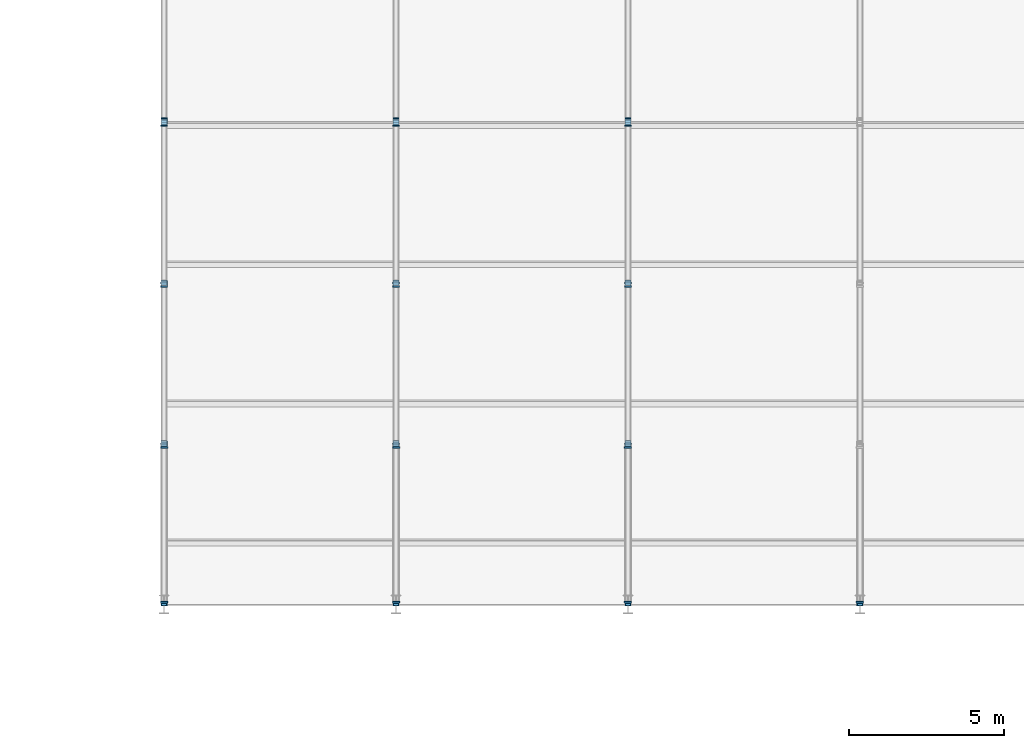
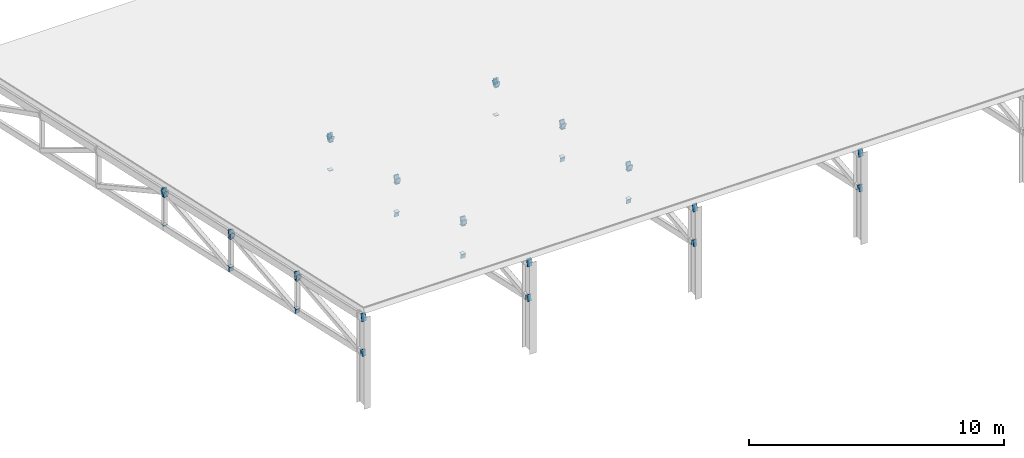
# One storey, part 56 of 77: 66 plates.
"""IFC4 building model written with IfcOpenShell, lengths in metres."""

from ifc_helpers import new_model, si_unit, direction, frame, origin, origin_2d, place, context, subcontext, project, spatial, rectangle, extrude, material, layer, layer_set, type_object, element, save


model = new_model("IFC4")

# Units and contexts
model_context = context("Model", 3, precision=1e-05, world=origin(), true_north=direction((0.0, 1.0)))
body_context = subcontext(model_context, "Body", "Model", "MODEL_VIEW")
ifc_project = project(units=[si_unit("LENGTHUNIT", "METRE"), si_unit("AREAUNIT", "SQUARE_METRE"), si_unit("VOLUMEUNIT", "CUBIC_METRE"), si_unit("PLANEANGLEUNIT", "RADIAN"), si_unit("MASSUNIT", "GRAM", prefix="KILO")], contexts=[model_context])

# Site, building, storey
site_placement = place(None, origin())
site = spatial("IfcSite", under=ifc_project, at=site_placement, CompositionType="ELEMENT")
building_placement = place(site_placement, origin())
building = spatial("IfcBuilding", under=site, at=building_placement, Name="Yukiwa Park Conservatory and Herbarium", CompositionType="ELEMENT")
storey_placement = place(building_placement, frame((0.0, 0.0, 13.199951171875)))
storey = spatial("IfcBuildingStorey", under=building, at=storey_placement, Name="L03", CompositionType="ELEMENT", Elevation=13.199951171875)

# Plates
ifc_material_1 = material(Name="Steel Q355D", Category="steel")
ifc_layer_1 = layer(ifc_material_1, 0.02392578125)
ifc_layer_set_1 = layer_set([ifc_layer_1], Name="Steel Q355D")
plate_type_1 = type_object("IfcPlateType", Name="PL-CAP-24", PredefinedType="USERDEFINED", material=ifc_layer_set_1)
for number, where, z_axis, x_axis, name in (
    (1, (15.0, 78.013916015625, 4.190185546875), (0.0, -0.976900017396, 0.213696878805), (1.0, 0.0, 0.0), "Hollow section end cap plate CAP-AUTC-1-1A"),
    (2, (15.0, 83.160888671875, 3.0478515625), (0.0, 0.976900017396, -0.213696878805), (-1.0, 0.0, 0.0), "Hollow section end cap plate CAP-AUTC-1-1B"),
):
    element("IfcPlate", number, at=place(storey_placement, frame(where, z_axis=z_axis, x_axis=x_axis)), inside=storey, type_object=plate_type_1, Name=name, ObjectType="END CAP PLATE", PredefinedType="USERDEFINED", context=body_context, shape_type="SweptSolid", body=[
        extrude(rectangle(XDim=0.2080078125, YDim=0.35791015625, at=origin_2d()), origin(), (0.0, 0.0, 1.0), 0.02392578125),
    ])
plate_1_placement = place(storey_placement, frame((15.0, 78.013916015625, 2.490234375), z_axis=(0.0, -0.976900017396, 0.213696878805), x_axis=(1.0, 0.0, 0.0)))
element("IfcPlate", 3, at=plate_1_placement, inside=storey, type_object=plate_type_1, Name="Hollow section end cap plate CAP-AUBC-1-1A", ObjectType="END CAP PLATE", PredefinedType="USERDEFINED", context=body_context, shape_type="SweptSolid", body=[
    extrude(rectangle(XDim=0.157958984375, YDim=0.30810546875, at=origin_2d()), origin(), (0.0, 0.0, 1.0), 0.02392578125),
])
for number, where, z_axis, x_axis, name in (
    (4, (15.0, 78.091552734375, 2.500244140625), (0.0, -0.994834142531, -0.101513688013), (1.0, 0.0, 0.0), "Hollow section end cap plate CAP-AUDG-1-1A"),
    (5, (15.0, 83.067626953125, 3.025146484375), (0.0, 0.993759448064, 0.111544427844), (-1.0, 0.0, 0.0), "Hollow section end cap plate CAP-AUDG-1-1B"),
):
    element("IfcPlate", number, at=place(storey_placement, frame(where, z_axis=z_axis, x_axis=x_axis)), inside=storey, type_object=plate_type_1, Name=name, ObjectType="END CAP PLATE", PredefinedType="USERDEFINED", context=body_context, shape_type="SweptSolid", body=[
        extrude(rectangle(XDim=0.22802734375, YDim=0.22802734375, at=origin_2d()), origin(), (0.0, 0.0, 1.0), 0.024169921875),
    ])
for number, where, z_axis, x_axis, name in (
    (6, (15.0, 83.239013671875, 3.030517578125), (0.0, -0.976900017396, 0.213696878805), (1.0, 0.0, 0.0), "Hollow section end cap plate CAP-AUTC-1-2A"),
    (7, (15.0, 88.36083984375, 1.89501953125), (0.0, 0.974732318528, -0.223376156329), (-1.0, 0.0, 0.0), "Hollow section end cap plate CAP-AUTC-1-2B"),
):
    element("IfcPlate", number, at=place(storey_placement, frame(where, z_axis=z_axis, x_axis=x_axis)), inside=storey, type_object=plate_type_1, Name=name, ObjectType="END CAP PLATE", PredefinedType="USERDEFINED", context=body_context, shape_type="SweptSolid", body=[
        extrude(rectangle(XDim=0.2080078125, YDim=0.35791015625, at=origin_2d()), origin(), (0.0, 0.0, 1.0), 0.02392578125),
    ])
plate_2_placement = place(storey_placement, frame((15.0, 83.2080078125, 1.340087890625), z_axis=(0.0, -0.993759448064, -0.111544427844), x_axis=(1.0, 0.0, 0.0)))
element("IfcPlate", 8, at=plate_2_placement, inside=storey, type_object=plate_type_1, Name="Hollow section end cap plate CAP-AUDG-1-2A", ObjectType="END CAP PLATE", PredefinedType="USERDEFINED", context=body_context, shape_type="SweptSolid", body=[
    extrude(rectangle(XDim=0.2080078125, YDim=0.2080078125, at=origin_2d()), origin(), (0.0, 0.0, 1.0), 0.024169921875),
])
plate_3_placement = place(storey_placement, frame((15.0, 88.267822265625, 1.872314453125), z_axis=(0.0, 0.994727926154, 0.102549270738), x_axis=(-1.0, 0.0, 0.0)))
element("IfcPlate", 9, at=plate_3_placement, inside=storey, type_object=plate_type_1, Name="Hollow section end cap plate CAP-AUDG-1-2B", ObjectType="END CAP PLATE", PredefinedType="USERDEFINED", context=body_context, shape_type="SweptSolid", body=[
    extrude(rectangle(XDim=0.2080078125, YDim=0.2080078125, at=origin_2d()), origin(), (0.0, 0.0, 1.0), 0.02392578125),
])
for number, where, z_axis, x_axis, name in (
    (10, (15.0, 88.43896484375, 1.877685546875), (0.0, -0.976900017396, 0.213696878805), (1.0, 0.0, 0.0), "Hollow section end cap plate CAP-AUTC-1-3A"),
    (11, (15.0, 93.56103515625, 0.7421875), (0.0, 0.974732318528, -0.223376156329), (-1.0, 0.0, 0.0), "Hollow section end cap plate CAP-AUTC-1-3B"),
):
    element("IfcPlate", number, at=place(storey_placement, frame(where, z_axis=z_axis, x_axis=x_axis)), inside=storey, type_object=plate_type_1, Name=name, ObjectType="END CAP PLATE", PredefinedType="USERDEFINED", context=body_context, shape_type="SweptSolid", body=[
        extrude(rectangle(XDim=0.2080078125, YDim=0.35791015625, at=origin_2d()), origin(), (0.0, 0.0, 1.0), 0.02392578125),
    ])
for number, where, z_axis, x_axis, name in (
    (12, (15.0, 88.407958984375, 0.18701171875), (0.0, -0.994834142531, -0.101513688013), (1.0, 0.0, 0.0), "Hollow section end cap plate CAP-AUDG-1-3A"),
    (13, (15.0, 93.4677734375, 0.719482421875), (0.0, 0.994834142531, 0.101513688013), (-1.0, 0.0, 0.0), "Hollow section end cap plate CAP-AUDG-1-3B"),
):
    element("IfcPlate", number, at=place(storey_placement, frame(where, z_axis=z_axis, x_axis=x_axis)), inside=storey, type_object=plate_type_1, Name=name, ObjectType="END CAP PLATE", PredefinedType="USERDEFINED", context=body_context, shape_type="SweptSolid", body=[
        extrude(rectangle(XDim=0.2080078125, YDim=0.2080078125, at=origin_2d()), origin(), (0.0, 0.0, 1.0), 0.024169921875),
    ])
plate_4_placement = place(storey_placement, frame((15.0, 93.63916015625, 0.724853515625), z_axis=(0.0, -0.976900017396, 0.213696878805), x_axis=(1.0, 0.0, 0.0)))
element("IfcPlate", 14, at=plate_4_placement, inside=storey, type_object=plate_type_1, Name="Hollow section end cap plate CAP-AUTC-1-4A", ObjectType="END CAP PLATE", PredefinedType="USERDEFINED", context=body_context, shape_type="SweptSolid", body=[
    extrude(rectangle(XDim=0.2080078125, YDim=0.35791015625, at=origin_2d()), origin(), (0.0, 0.0, 1.0), 0.02392578125),
])
plate_5_placement = place(storey_placement, frame((15.0, 93.690185546875, 0.683837890625), z_axis=(0.0, -0.873197702015, 0.487366159264), x_axis=(1.0, 0.0, 0.0)))
element("IfcPlate", 15, at=plate_5_placement, inside=storey, type_object=plate_type_1, Name="Hollow section end cap plate CAP-AUDG-1-4A", ObjectType="END CAP PLATE", PredefinedType="USERDEFINED", context=body_context, shape_type="SweptSolid", body=[
    extrude(rectangle(XDim=0.2080078125, YDim=0.2080078125, at=origin_2d()), origin(), (0.0, 0.0, 1.0), 0.02392578125),
])
ifc_material_2 = material(Name="Steel Q355D", Category="steel")
ifc_layer_2 = layer(ifc_material_2, 0.02392578125)
ifc_layer_set_2 = layer_set([ifc_layer_2], Name="Steel Q355D")
plate_type_2 = type_object("IfcPlateType", Name="PL-CAP-24-INT", PredefinedType="USERDEFINED", material=ifc_layer_set_2)
for number, where, z_axis, x_axis, name in (
    (16, (15.0, 83.199951171875, 1.4921875), (0.0, 0.0, -1.0), (1.0, 0.0, 0.0), "Hollow section end cap plate CAP-AUVP-1-1B"),
    (17, (15.0, 83.199951171875, 2.8251953125), (0.0, 0.0, 1.0), (1.0, 0.0, 0.0), "Hollow section end cap plate CAP-AUVP-1-1T"),
):
    element("IfcPlate", number, at=place(storey_placement, frame(where, z_axis=z_axis, x_axis=x_axis)), inside=storey, type_object=plate_type_2, Name=name, ObjectType="END CAP PLATE", PredefinedType="USERDEFINED", context=body_context, shape_type="SweptSolid", body=[
        extrude(rectangle(XDim=0.18798828125, YDim=0.18798828125, at=origin_2d()), origin(), (0.0, 0.0, 1.0), 0.02392578125),
    ])
plate_6_placement = place(storey_placement, frame((15.0, 88.39990234375, 0.33935546875), z_axis=(0.0, 0.0, -1.0), x_axis=(1.0, 0.0, 0.0)))
element("IfcPlate", 18, at=plate_6_placement, inside=storey, type_object=plate_type_2, Name="Hollow section end cap plate CAP-AUVP-1-2B", ObjectType="END CAP PLATE", PredefinedType="USERDEFINED", context=body_context, shape_type="SweptSolid", body=[
    extrude(rectangle(XDim=0.18798828125, YDim=0.18798828125, at=origin_2d()), origin(), (0.0, 0.0, 1.0), 0.024169921875),
])
plate_7_placement = place(storey_placement, frame((15.0, 88.39990234375, 1.67236328125), z_axis=(0.0, 0.0, 1.0), x_axis=(1.0, 0.0, 0.0)))
element("IfcPlate", 19, at=plate_7_placement, inside=storey, type_object=plate_type_2, Name="Hollow section end cap plate CAP-AUVP-1-2T", ObjectType="END CAP PLATE", PredefinedType="USERDEFINED", context=body_context, shape_type="SweptSolid", body=[
    extrude(rectangle(XDim=0.18798828125, YDim=0.18798828125, at=origin_2d()), origin(), (0.0, 0.0, 1.0), 0.02392578125),
])
plate_8_placement = place(storey_placement, frame((15.0, 93.60009765625, -0.8134765625), z_axis=(0.0, 0.0, -1.0), x_axis=(1.0, 0.0, 0.0)))
element("IfcPlate", 20, at=plate_8_placement, inside=storey, type_object=plate_type_2, Name="Hollow section end cap plate CAP-AUVP-1-3B", ObjectType="END CAP PLATE", PredefinedType="USERDEFINED", context=body_context, shape_type="SweptSolid", body=[
    extrude(rectangle(XDim=0.18798828125, YDim=0.18798828125, at=origin_2d()), origin(), (0.0, 0.0, 1.0), 0.024169921875),
])
plate_9_placement = place(storey_placement, frame((15.0, 93.60009765625, 0.51953125), z_axis=(0.0, 0.0, 1.0), x_axis=(1.0, 0.0, 0.0)))
element("IfcPlate", 21, at=plate_9_placement, inside=storey, type_object=plate_type_2, Name="Hollow section end cap plate CAP-AUVP-1-3T", ObjectType="END CAP PLATE", PredefinedType="USERDEFINED", context=body_context, shape_type="SweptSolid", body=[
    extrude(rectangle(XDim=0.18798828125, YDim=0.18798828125, at=origin_2d()), origin(), (0.0, 0.0, 1.0), 0.02392578125),
])
for number, where, z_axis, x_axis, name in (
    (22, (22.5, 78.013916015625, 4.190185546875), (0.0, -0.976900017396, 0.213696878805), (1.0, 0.0, 0.0), "Hollow section end cap plate CAP-AUTC-2-1A"),
    (23, (22.5, 83.160888671875, 3.0478515625), (0.0, 0.976900017396, -0.213696878805), (-1.0, 0.0, 0.0), "Hollow section end cap plate CAP-AUTC-2-1B"),
):
    element("IfcPlate", number, at=place(storey_placement, frame(where, z_axis=z_axis, x_axis=x_axis)), inside=storey, type_object=plate_type_2, Name=name, ObjectType="END CAP PLATE", PredefinedType="USERDEFINED", context=body_context, shape_type="SweptSolid", body=[
        extrude(rectangle(XDim=0.2080078125, YDim=0.35791015625, at=origin_2d()), origin(), (0.0, 0.0, 1.0), 0.02392578125),
    ])
plate_10_placement = place(storey_placement, frame((22.5, 78.013916015625, 2.490234375), z_axis=(0.0, -0.976900017396, 0.213696878805), x_axis=(1.0, 0.0, 0.0)))
element("IfcPlate", 24, at=plate_10_placement, inside=storey, type_object=plate_type_2, Name="Hollow section end cap plate CAP-AUBC-2-1A", ObjectType="END CAP PLATE", PredefinedType="USERDEFINED", context=body_context, shape_type="SweptSolid", body=[
    extrude(rectangle(XDim=0.157958984375, YDim=0.30810546875, at=origin_2d()), origin(), (0.0, 0.0, 1.0), 0.02392578125),
])
for number, where, z_axis, x_axis, name in (
    (25, (22.5, 78.091552734375, 2.500244140625), (0.0, -0.994834142531, -0.101513688013), (1.0, 0.0, 0.0), "Hollow section end cap plate CAP-AUDG-2-1A"),
    (26, (22.5, 83.067626953125, 3.025146484375), (0.0, 0.993759448064, 0.111544427844), (-1.0, 0.0, 0.0), "Hollow section end cap plate CAP-AUDG-2-1B"),
):
    element("IfcPlate", number, at=place(storey_placement, frame(where, z_axis=z_axis, x_axis=x_axis)), inside=storey, type_object=plate_type_2, Name=name, ObjectType="END CAP PLATE", PredefinedType="USERDEFINED", context=body_context, shape_type="SweptSolid", body=[
        extrude(rectangle(XDim=0.22802734375, YDim=0.22802734375, at=origin_2d()), origin(), (0.0, 0.0, 1.0), 0.024169921875),
    ])
for number, where, z_axis, x_axis, name in (
    (27, (22.5, 83.239013671875, 3.030517578125), (0.0, -0.976900017396, 0.213696878805), (1.0, 0.0, 0.0), "Hollow section end cap plate CAP-AUTC-2-2A"),
    (28, (22.5, 88.36083984375, 1.89501953125), (0.0, 0.974732318528, -0.223376156329), (-1.0, 0.0, 0.0), "Hollow section end cap plate CAP-AUTC-2-2B"),
):
    element("IfcPlate", number, at=place(storey_placement, frame(where, z_axis=z_axis, x_axis=x_axis)), inside=storey, type_object=plate_type_2, Name=name, ObjectType="END CAP PLATE", PredefinedType="USERDEFINED", context=body_context, shape_type="SweptSolid", body=[
        extrude(rectangle(XDim=0.2080078125, YDim=0.35791015625, at=origin_2d()), origin(), (0.0, 0.0, 1.0), 0.02392578125),
    ])
plate_11_placement = place(storey_placement, frame((22.5, 83.2080078125, 1.340087890625), z_axis=(0.0, -0.993759448064, -0.111544427844), x_axis=(1.0, 0.0, 0.0)))
element("IfcPlate", 29, at=plate_11_placement, inside=storey, type_object=plate_type_2, Name="Hollow section end cap plate CAP-AUDG-2-2A", ObjectType="END CAP PLATE", PredefinedType="USERDEFINED", context=body_context, shape_type="SweptSolid", body=[
    extrude(rectangle(XDim=0.2080078125, YDim=0.2080078125, at=origin_2d()), origin(), (0.0, 0.0, 1.0), 0.024169921875),
])
plate_12_placement = place(storey_placement, frame((22.5, 88.267822265625, 1.872314453125), z_axis=(0.0, 0.994727926154, 0.102549270738), x_axis=(-1.0, 0.0, 0.0)))
element("IfcPlate", 30, at=plate_12_placement, inside=storey, type_object=plate_type_2, Name="Hollow section end cap plate CAP-AUDG-2-2B", ObjectType="END CAP PLATE", PredefinedType="USERDEFINED", context=body_context, shape_type="SweptSolid", body=[
    extrude(rectangle(XDim=0.2080078125, YDim=0.2080078125, at=origin_2d()), origin(), (0.0, 0.0, 1.0), 0.02392578125),
])
for number, where, z_axis, x_axis, name in (
    (31, (22.5, 88.43896484375, 1.877685546875), (0.0, -0.976900017396, 0.213696878805), (1.0, 0.0, 0.0), "Hollow section end cap plate CAP-AUTC-2-3A"),
    (32, (22.5, 93.56103515625, 0.7421875), (0.0, 0.974732318528, -0.223376156329), (-1.0, 0.0, 0.0), "Hollow section end cap plate CAP-AUTC-2-3B"),
):
    element("IfcPlate", number, at=place(storey_placement, frame(where, z_axis=z_axis, x_axis=x_axis)), inside=storey, type_object=plate_type_2, Name=name, ObjectType="END CAP PLATE", PredefinedType="USERDEFINED", context=body_context, shape_type="SweptSolid", body=[
        extrude(rectangle(XDim=0.2080078125, YDim=0.35791015625, at=origin_2d()), origin(), (0.0, 0.0, 1.0), 0.02392578125),
    ])
for number, where, z_axis, x_axis, name in (
    (33, (22.5, 88.407958984375, 0.18701171875), (0.0, -0.994834142531, -0.101513688013), (1.0, 0.0, 0.0), "Hollow section end cap plate CAP-AUDG-2-3A"),
    (34, (22.5, 93.4677734375, 0.719482421875), (0.0, 0.994834142531, 0.101513688013), (-1.0, 0.0, 0.0), "Hollow section end cap plate CAP-AUDG-2-3B"),
):
    element("IfcPlate", number, at=place(storey_placement, frame(where, z_axis=z_axis, x_axis=x_axis)), inside=storey, type_object=plate_type_2, Name=name, ObjectType="END CAP PLATE", PredefinedType="USERDEFINED", context=body_context, shape_type="SweptSolid", body=[
        extrude(rectangle(XDim=0.2080078125, YDim=0.2080078125, at=origin_2d()), origin(), (0.0, 0.0, 1.0), 0.024169921875),
    ])
plate_13_placement = place(storey_placement, frame((22.5, 93.63916015625, 0.724853515625), z_axis=(0.0, -0.976900017396, 0.213696878805), x_axis=(1.0, 0.0, 0.0)))
element("IfcPlate", 35, at=plate_13_placement, inside=storey, type_object=plate_type_2, Name="Hollow section end cap plate CAP-AUTC-2-4A", ObjectType="END CAP PLATE", PredefinedType="USERDEFINED", context=body_context, shape_type="SweptSolid", body=[
    extrude(rectangle(XDim=0.2080078125, YDim=0.35791015625, at=origin_2d()), origin(), (0.0, 0.0, 1.0), 0.02392578125),
])
plate_14_placement = place(storey_placement, frame((22.5, 93.690185546875, 0.683837890625), z_axis=(0.0, -0.873197702015, 0.487366159264), x_axis=(1.0, 0.0, 0.0)))
element("IfcPlate", 36, at=plate_14_placement, inside=storey, type_object=plate_type_2, Name="Hollow section end cap plate CAP-AUDG-2-4A", ObjectType="END CAP PLATE", PredefinedType="USERDEFINED", context=body_context, shape_type="SweptSolid", body=[
    extrude(rectangle(XDim=0.2080078125, YDim=0.2080078125, at=origin_2d()), origin(), (0.0, 0.0, 1.0), 0.02392578125),
])
for number, where, z_axis, x_axis, name in (
    (37, (22.5, 83.199951171875, 1.4921875), (0.0, 0.0, -1.0), (1.0, 0.0, 0.0), "Hollow section end cap plate CAP-AUVP-2-1B"),
    (38, (22.5, 83.199951171875, 2.8251953125), (0.0, 0.0, 1.0), (1.0, 0.0, 0.0), "Hollow section end cap plate CAP-AUVP-2-1T"),
):
    element("IfcPlate", number, at=place(storey_placement, frame(where, z_axis=z_axis, x_axis=x_axis)), inside=storey, type_object=plate_type_2, Name=name, ObjectType="END CAP PLATE", PredefinedType="USERDEFINED", context=body_context, shape_type="SweptSolid", body=[
        extrude(rectangle(XDim=0.18798828125, YDim=0.18798828125, at=origin_2d()), origin(), (0.0, 0.0, 1.0), 0.02392578125),
    ])
plate_15_placement = place(storey_placement, frame((22.5, 88.39990234375, 0.33935546875), z_axis=(0.0, 0.0, -1.0), x_axis=(1.0, 0.0, 0.0)))
element("IfcPlate", 39, at=plate_15_placement, inside=storey, type_object=plate_type_2, Name="Hollow section end cap plate CAP-AUVP-2-2B", ObjectType="END CAP PLATE", PredefinedType="USERDEFINED", context=body_context, shape_type="SweptSolid", body=[
    extrude(rectangle(XDim=0.18798828125, YDim=0.18798828125, at=origin_2d()), origin(), (0.0, 0.0, 1.0), 0.024169921875),
])
plate_16_placement = place(storey_placement, frame((22.5, 88.39990234375, 1.67236328125), z_axis=(0.0, 0.0, 1.0), x_axis=(1.0, 0.0, 0.0)))
element("IfcPlate", 40, at=plate_16_placement, inside=storey, type_object=plate_type_2, Name="Hollow section end cap plate CAP-AUVP-2-2T", ObjectType="END CAP PLATE", PredefinedType="USERDEFINED", context=body_context, shape_type="SweptSolid", body=[
    extrude(rectangle(XDim=0.18798828125, YDim=0.18798828125, at=origin_2d()), origin(), (0.0, 0.0, 1.0), 0.02392578125),
])
plate_17_placement = place(storey_placement, frame((22.5, 93.60009765625, -0.8134765625), z_axis=(0.0, 0.0, -1.0), x_axis=(1.0, 0.0, 0.0)))
element("IfcPlate", 41, at=plate_17_placement, inside=storey, type_object=plate_type_2, Name="Hollow section end cap plate CAP-AUVP-2-3B", ObjectType="END CAP PLATE", PredefinedType="USERDEFINED", context=body_context, shape_type="SweptSolid", body=[
    extrude(rectangle(XDim=0.18798828125, YDim=0.18798828125, at=origin_2d()), origin(), (0.0, 0.0, 1.0), 0.024169921875),
])
plate_18_placement = place(storey_placement, frame((22.5, 93.60009765625, 0.51953125), z_axis=(0.0, 0.0, 1.0), x_axis=(1.0, 0.0, 0.0)))
element("IfcPlate", 42, at=plate_18_placement, inside=storey, type_object=plate_type_2, Name="Hollow section end cap plate CAP-AUVP-2-3T", ObjectType="END CAP PLATE", PredefinedType="USERDEFINED", context=body_context, shape_type="SweptSolid", body=[
    extrude(rectangle(XDim=0.18798828125, YDim=0.18798828125, at=origin_2d()), origin(), (0.0, 0.0, 1.0), 0.02392578125),
])
for number, where, z_axis, x_axis, name in (
    (43, (30.0, 78.013916015625, 4.190185546875), (0.0, -0.976900017396, 0.213696878805), (1.0, 0.0, 0.0), "Hollow section end cap plate CAP-AUTC-3-1A"),
    (44, (30.0, 83.160888671875, 3.0478515625), (0.0, 0.976900017396, -0.213696878805), (-1.0, 0.0, 0.0), "Hollow section end cap plate CAP-AUTC-3-1B"),
):
    element("IfcPlate", number, at=place(storey_placement, frame(where, z_axis=z_axis, x_axis=x_axis)), inside=storey, type_object=plate_type_2, Name=name, ObjectType="END CAP PLATE", PredefinedType="USERDEFINED", context=body_context, shape_type="SweptSolid", body=[
        extrude(rectangle(XDim=0.2080078125, YDim=0.35791015625, at=origin_2d()), origin(), (0.0, 0.0, 1.0), 0.02392578125),
    ])
plate_19_placement = place(storey_placement, frame((30.0, 78.013916015625, 2.490234375), z_axis=(0.0, -0.976900017396, 0.213696878805), x_axis=(1.0, 0.0, 0.0)))
element("IfcPlate", 45, at=plate_19_placement, inside=storey, type_object=plate_type_2, Name="Hollow section end cap plate CAP-AUBC-3-1A", ObjectType="END CAP PLATE", PredefinedType="USERDEFINED", context=body_context, shape_type="SweptSolid", body=[
    extrude(rectangle(XDim=0.157958984375, YDim=0.30810546875, at=origin_2d()), origin(), (0.0, 0.0, 1.0), 0.02392578125),
])
for number, where, z_axis, x_axis, name in (
    (46, (30.0, 78.091552734375, 2.500244140625), (0.0, -0.994834142531, -0.101513688013), (1.0, 0.0, 0.0), "Hollow section end cap plate CAP-AUDG-3-1A"),
    (47, (30.0, 83.067626953125, 3.025146484375), (0.0, 0.993759448064, 0.111544427844), (-1.0, 0.0, 0.0), "Hollow section end cap plate CAP-AUDG-3-1B"),
):
    element("IfcPlate", number, at=place(storey_placement, frame(where, z_axis=z_axis, x_axis=x_axis)), inside=storey, type_object=plate_type_2, Name=name, ObjectType="END CAP PLATE", PredefinedType="USERDEFINED", context=body_context, shape_type="SweptSolid", body=[
        extrude(rectangle(XDim=0.22802734375, YDim=0.22802734375, at=origin_2d()), origin(), (0.0, 0.0, 1.0), 0.024169921875),
    ])
for number, where, z_axis, x_axis, name in (
    (48, (30.0, 83.239013671875, 3.030517578125), (0.0, -0.976900017396, 0.213696878805), (1.0, 0.0, 0.0), "Hollow section end cap plate CAP-AUTC-3-2A"),
    (49, (30.0, 88.36083984375, 1.89501953125), (0.0, 0.974732318528, -0.223376156329), (-1.0, 0.0, 0.0), "Hollow section end cap plate CAP-AUTC-3-2B"),
):
    element("IfcPlate", number, at=place(storey_placement, frame(where, z_axis=z_axis, x_axis=x_axis)), inside=storey, type_object=plate_type_2, Name=name, ObjectType="END CAP PLATE", PredefinedType="USERDEFINED", context=body_context, shape_type="SweptSolid", body=[
        extrude(rectangle(XDim=0.2080078125, YDim=0.35791015625, at=origin_2d()), origin(), (0.0, 0.0, 1.0), 0.02392578125),
    ])
plate_20_placement = place(storey_placement, frame((30.0, 83.2080078125, 1.340087890625), z_axis=(0.0, -0.993759448064, -0.111544427844), x_axis=(1.0, 0.0, 0.0)))
element("IfcPlate", 50, at=plate_20_placement, inside=storey, type_object=plate_type_2, Name="Hollow section end cap plate CAP-AUDG-3-2A", ObjectType="END CAP PLATE", PredefinedType="USERDEFINED", context=body_context, shape_type="SweptSolid", body=[
    extrude(rectangle(XDim=0.2080078125, YDim=0.2080078125, at=origin_2d()), origin(), (0.0, 0.0, 1.0), 0.024169921875),
])
plate_21_placement = place(storey_placement, frame((30.0, 88.267822265625, 1.872314453125), z_axis=(0.0, 0.994727926154, 0.102549270738), x_axis=(-1.0, 0.0, 0.0)))
element("IfcPlate", 51, at=plate_21_placement, inside=storey, type_object=plate_type_2, Name="Hollow section end cap plate CAP-AUDG-3-2B", ObjectType="END CAP PLATE", PredefinedType="USERDEFINED", context=body_context, shape_type="SweptSolid", body=[
    extrude(rectangle(XDim=0.2080078125, YDim=0.2080078125, at=origin_2d()), origin(), (0.0, 0.0, 1.0), 0.02392578125),
])
for number, where, z_axis, x_axis, name in (
    (52, (30.0, 88.43896484375, 1.877685546875), (0.0, -0.976900017396, 0.213696878805), (1.0, 0.0, 0.0), "Hollow section end cap plate CAP-AUTC-3-3A"),
    (53, (30.0, 93.56103515625, 0.7421875), (0.0, 0.974732318528, -0.223376156329), (-1.0, 0.0, 0.0), "Hollow section end cap plate CAP-AUTC-3-3B"),
):
    element("IfcPlate", number, at=place(storey_placement, frame(where, z_axis=z_axis, x_axis=x_axis)), inside=storey, type_object=plate_type_2, Name=name, ObjectType="END CAP PLATE", PredefinedType="USERDEFINED", context=body_context, shape_type="SweptSolid", body=[
        extrude(rectangle(XDim=0.2080078125, YDim=0.35791015625, at=origin_2d()), origin(), (0.0, 0.0, 1.0), 0.02392578125),
    ])
for number, where, z_axis, x_axis, name in (
    (54, (30.0, 88.407958984375, 0.18701171875), (0.0, -0.994834142531, -0.101513688013), (1.0, 0.0, 0.0), "Hollow section end cap plate CAP-AUDG-3-3A"),
    (55, (30.0, 93.4677734375, 0.719482421875), (0.0, 0.994834142531, 0.101513688013), (-1.0, 0.0, 0.0), "Hollow section end cap plate CAP-AUDG-3-3B"),
):
    element("IfcPlate", number, at=place(storey_placement, frame(where, z_axis=z_axis, x_axis=x_axis)), inside=storey, type_object=plate_type_2, Name=name, ObjectType="END CAP PLATE", PredefinedType="USERDEFINED", context=body_context, shape_type="SweptSolid", body=[
        extrude(rectangle(XDim=0.2080078125, YDim=0.2080078125, at=origin_2d()), origin(), (0.0, 0.0, 1.0), 0.024169921875),
    ])
plate_22_placement = place(storey_placement, frame((30.0, 93.63916015625, 0.724853515625), z_axis=(0.0, -0.976900017396, 0.213696878805), x_axis=(1.0, 0.0, 0.0)))
element("IfcPlate", 56, at=plate_22_placement, inside=storey, type_object=plate_type_2, Name="Hollow section end cap plate CAP-AUTC-3-4A", ObjectType="END CAP PLATE", PredefinedType="USERDEFINED", context=body_context, shape_type="SweptSolid", body=[
    extrude(rectangle(XDim=0.2080078125, YDim=0.35791015625, at=origin_2d()), origin(), (0.0, 0.0, 1.0), 0.02392578125),
])
plate_23_placement = place(storey_placement, frame((30.0, 93.690185546875, 0.683837890625), z_axis=(0.0, -0.873197702015, 0.487366159264), x_axis=(1.0, 0.0, 0.0)))
element("IfcPlate", 57, at=plate_23_placement, inside=storey, type_object=plate_type_2, Name="Hollow section end cap plate CAP-AUDG-3-4A", ObjectType="END CAP PLATE", PredefinedType="USERDEFINED", context=body_context, shape_type="SweptSolid", body=[
    extrude(rectangle(XDim=0.2080078125, YDim=0.2080078125, at=origin_2d()), origin(), (0.0, 0.0, 1.0), 0.02392578125),
])
for number, where, z_axis, x_axis, name in (
    (58, (30.0, 83.199951171875, 1.4921875), (0.0, 0.0, -1.0), (1.0, 0.0, 0.0), "Hollow section end cap plate CAP-AUVP-3-1B"),
    (59, (30.0, 83.199951171875, 2.8251953125), (0.0, 0.0, 1.0), (1.0, 0.0, 0.0), "Hollow section end cap plate CAP-AUVP-3-1T"),
):
    element("IfcPlate", number, at=place(storey_placement, frame(where, z_axis=z_axis, x_axis=x_axis)), inside=storey, type_object=plate_type_2, Name=name, ObjectType="END CAP PLATE", PredefinedType="USERDEFINED", context=body_context, shape_type="SweptSolid", body=[
        extrude(rectangle(XDim=0.18798828125, YDim=0.18798828125, at=origin_2d()), origin(), (0.0, 0.0, 1.0), 0.02392578125),
    ])
plate_24_placement = place(storey_placement, frame((30.0, 88.39990234375, 0.33935546875), z_axis=(0.0, 0.0, -1.0), x_axis=(1.0, 0.0, 0.0)))
element("IfcPlate", 60, at=plate_24_placement, inside=storey, type_object=plate_type_2, Name="Hollow section end cap plate CAP-AUVP-3-2B", ObjectType="END CAP PLATE", PredefinedType="USERDEFINED", context=body_context, shape_type="SweptSolid", body=[
    extrude(rectangle(XDim=0.18798828125, YDim=0.18798828125, at=origin_2d()), origin(), (0.0, 0.0, 1.0), 0.024169921875),
])
plate_25_placement = place(storey_placement, frame((30.0, 88.39990234375, 1.67236328125), z_axis=(0.0, 0.0, 1.0), x_axis=(1.0, 0.0, 0.0)))
element("IfcPlate", 61, at=plate_25_placement, inside=storey, type_object=plate_type_2, Name="Hollow section end cap plate CAP-AUVP-3-2T", ObjectType="END CAP PLATE", PredefinedType="USERDEFINED", context=body_context, shape_type="SweptSolid", body=[
    extrude(rectangle(XDim=0.18798828125, YDim=0.18798828125, at=origin_2d()), origin(), (0.0, 0.0, 1.0), 0.02392578125),
])
plate_26_placement = place(storey_placement, frame((30.0, 93.60009765625, -0.8134765625), z_axis=(0.0, 0.0, -1.0), x_axis=(1.0, 0.0, 0.0)))
element("IfcPlate", 62, at=plate_26_placement, inside=storey, type_object=plate_type_2, Name="Hollow section end cap plate CAP-AUVP-3-3B", ObjectType="END CAP PLATE", PredefinedType="USERDEFINED", context=body_context, shape_type="SweptSolid", body=[
    extrude(rectangle(XDim=0.18798828125, YDim=0.18798828125, at=origin_2d()), origin(), (0.0, 0.0, 1.0), 0.024169921875),
])
plate_27_placement = place(storey_placement, frame((30.0, 93.60009765625, 0.51953125), z_axis=(0.0, 0.0, 1.0), x_axis=(1.0, 0.0, 0.0)))
element("IfcPlate", 63, at=plate_27_placement, inside=storey, type_object=plate_type_2, Name="Hollow section end cap plate CAP-AUVP-3-3T", ObjectType="END CAP PLATE", PredefinedType="USERDEFINED", context=body_context, shape_type="SweptSolid", body=[
    extrude(rectangle(XDim=0.18798828125, YDim=0.18798828125, at=origin_2d()), origin(), (0.0, 0.0, 1.0), 0.02392578125),
])
plate_28_placement = place(storey_placement, frame((37.5, 78.013916015625, 4.190185546875), z_axis=(0.0, -0.976900017396, 0.213696878805), x_axis=(1.0, 0.0, 0.0)))
element("IfcPlate", 64, at=plate_28_placement, inside=storey, type_object=plate_type_2, Name="Hollow section end cap plate CAP-AUTC-4-1A", ObjectType="END CAP PLATE", PredefinedType="USERDEFINED", context=body_context, shape_type="SweptSolid", body=[
    extrude(rectangle(XDim=0.2080078125, YDim=0.35791015625, at=origin_2d()), origin(), (0.0, 0.0, 1.0), 0.02392578125),
])
plate_29_placement = place(storey_placement, frame((37.5, 78.013916015625, 2.490234375), z_axis=(0.0, -0.976900017396, 0.213696878805), x_axis=(1.0, 0.0, 0.0)))
element("IfcPlate", 65, at=plate_29_placement, inside=storey, type_object=plate_type_2, Name="Hollow section end cap plate CAP-AUBC-4-1A", ObjectType="END CAP PLATE", PredefinedType="USERDEFINED", context=body_context, shape_type="SweptSolid", body=[
    extrude(rectangle(XDim=0.157958984375, YDim=0.30810546875, at=origin_2d()), origin(), (0.0, 0.0, 1.0), 0.02392578125),
])
plate_30_placement = place(storey_placement, frame((37.5, 78.091552734375, 2.500244140625), z_axis=(0.0, -0.994834142531, -0.101513688013), x_axis=(1.0, 0.0, 0.0)))
element("IfcPlate", 66, at=plate_30_placement, inside=storey, type_object=plate_type_2, Name="Hollow section end cap plate CAP-AUDG-4-1A", ObjectType="END CAP PLATE", PredefinedType="USERDEFINED", context=body_context, shape_type="SweptSolid", body=[
    extrude(rectangle(XDim=0.22802734375, YDim=0.22802734375, at=origin_2d()), origin(), (0.0, 0.0, 1.0), 0.024169921875),
])

save(model, "model.ifc")
